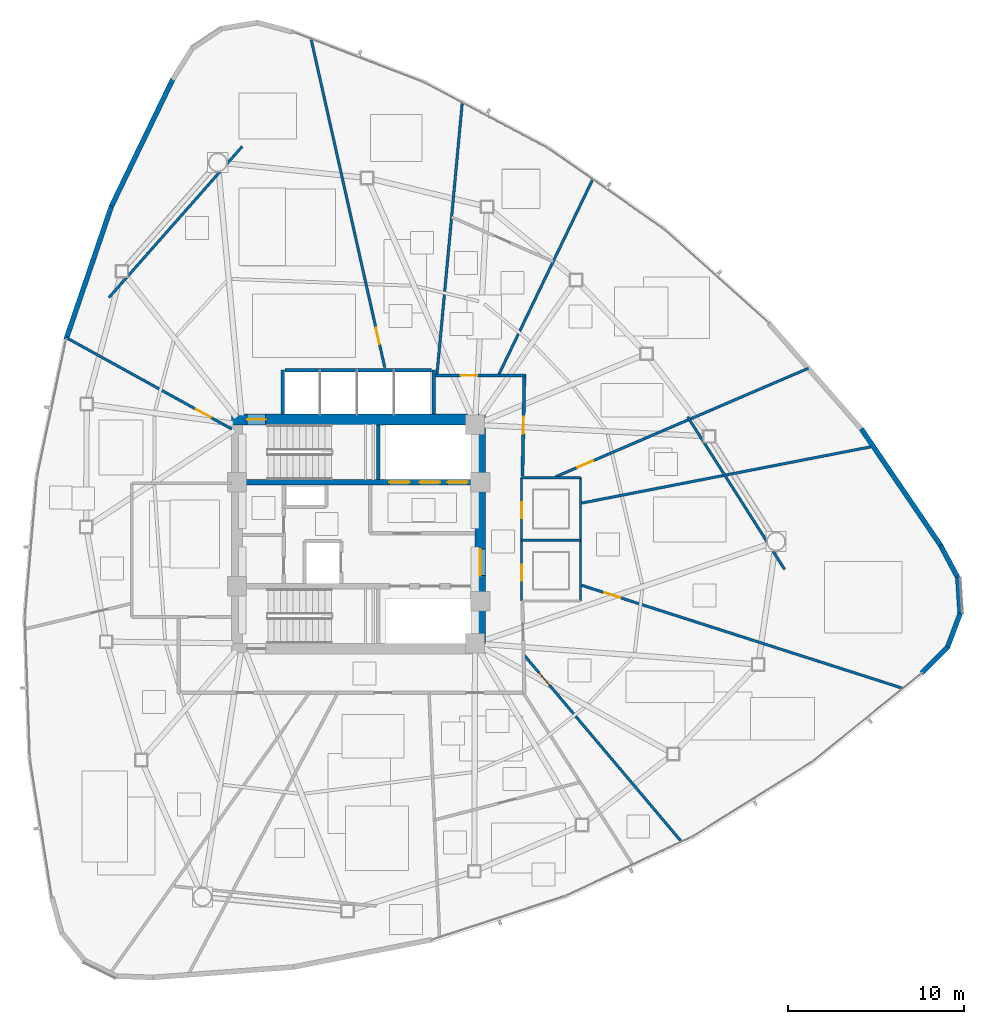
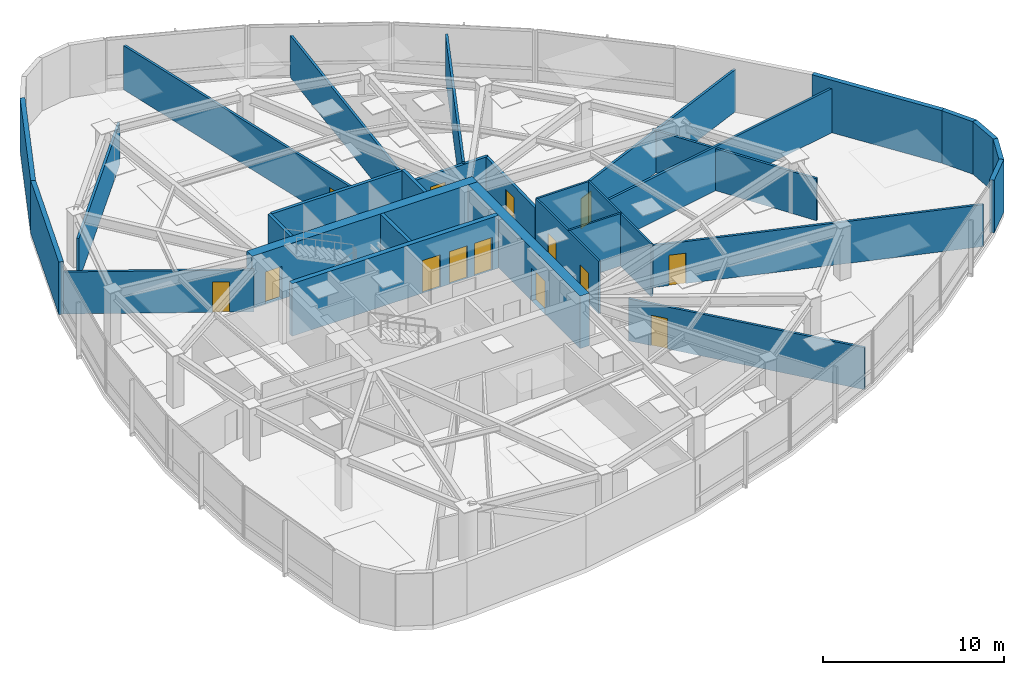
# One storey, part 12 of 17: 30 walls, 14 doors, 14 openings.
"""IFC4 building model written with IfcOpenShell, lengths in metres."""

from ifc_helpers import new_model, si_unit, direction, frame, frame_2d, origin, place, context, subcontext, project, spatial, rectangle, extrude, material, layer, layer_set, type_object, element, fill, save


model = new_model("IFC4")

# Units and contexts
model_context = context("Model", 3, precision=1e-05, world=origin(), true_north=direction((0.0, 1.0)))
body_context = subcontext(model_context, "Body", "Model", "MODEL_VIEW")
ifc_project = project(units=[si_unit("LENGTHUNIT", "METRE"), si_unit("AREAUNIT", "SQUARE_METRE"), si_unit("VOLUMEUNIT", "CUBIC_METRE"), si_unit("PLANEANGLEUNIT", "RADIAN"), si_unit("MASSUNIT", "GRAM", prefix="KILO")], contexts=[model_context])

# Site, building, storey
site_placement = place(None, origin())
site = spatial("IfcSite", under=ifc_project, at=site_placement, CompositionType="ELEMENT")
building_placement = place(site_placement, origin())
building = spatial("IfcBuilding", under=site, at=building_placement, Name="Tavelor Broadcast Tower", CompositionType="ELEMENT")
storey_placement = place(building_placement, frame((0.0, 0.0, 123.300048828125)))
storey = spatial("IfcBuildingStorey", under=building, at=storey_placement, Name="L28", CompositionType="ELEMENT", Elevation=123.300048828125)

# Wall, opening, door
ifc_material_1 = material(Name="Concrete C60/75", Category="concrete")
ifc_layer_1 = layer(ifc_material_1, 0.60009765625)
ifc_layer_set_1 = layer_set([ifc_layer_1], Name="Concrete C60/75")
wall_type_1 = type_object("IfcWallType", Name="Core Shear Wall 600 mm", PredefinedType="SHEAR", material=ifc_layer_set_1)
wall_1_placement = place(storey_placement, frame((42.800048828125, 51.5, 0.0), z_axis=(0.0, 0.0, 1.0), x_axis=(1.0, 0.0, 0.0)))
wall_1 = element("IfcWall", 1, at=wall_1_placement, inside=storey, type_object=wall_type_1, Name="L28 Central Core Shear Wall N", PredefinedType="SHEAR", context=body_context, shape_type="SweptSolid", body=[
    extrude(rectangle(XDim=14.39990234375, YDim=0.60009765625, at=frame_2d((7.199951171875, 0.0))), origin(), (0.0, 0.0, 1.0), 3.550048828125),
])
opening_1_placement = place(wall_1_placement, frame((0.8798828125, 0.0, 0.0)))
opening_1 = element("IfcOpeningElement", 2, at=opening_1_placement, cuts=wall_1, Name="Opening DR11", PredefinedType="OPENING", context=body_context, shape_type="SweptSolid", body=[
    extrude(rectangle(XDim=1.050048828125, YDim=2.199951171875, at=frame_2d((0.52490234375, 1.10009765625))), frame((0.0, 0.31005859375, 0.0), z_axis=(0.0, -1.0, 0.0), x_axis=(1.0, 0.0, 0.0)), (0.0, 0.0, 1.0), 0.6201171875),
])
ifc_material_2 = material(Name="Steel S355", Category="steel")
door_type_1 = type_object("IfcDoorType", Name="Stair Core Fire Escape Door 1050x2200", OperationType="NOTDEFINED", PredefinedType="DOOR", material=ifc_material_2)
door_1_placement = place(opening_1_placement, origin())
door_1 = element("IfcDoor", 3, at=door_1_placement, inside=storey, type_object=door_type_1, Name="L28 Stair ST1 Protected Exit Door", OperationType="SINGLE_SWING_LEFT", OverallHeight=2.199951171875, OverallWidth=1.050048828125, PredefinedType="DOOR", context=body_context, shape_type="SweptSolid", body=[
    extrude(rectangle(XDim=1.050048828125, YDim=2.199951171875, at=frame_2d((0.52490234375, 1.10009765625))), frame((0.0, 0.02490234375, 0.0), z_axis=(0.0, -1.0, 0.0), x_axis=(1.0, 0.0, 0.0)), (0.0, 0.0, 1.0), 0.050048828125),
])
fill(opening_1, door_1)

wall_2_placement = place(storey_placement, frame((56.89990234375, 38.800048828125, 0.0), z_axis=(0.0, 0.0, 1.0), x_axis=(0.0, 1.0, 0.0)))
wall_2 = element("IfcWall", 4, at=wall_2_placement, inside=storey, type_object=wall_type_1, Name="L28 Central Core Shear Wall E", PredefinedType="SHEAR", context=body_context, shape_type="SweptSolid", body=[
    extrude(rectangle(XDim=12.39990234375, YDim=0.60009765625, at=frame_2d((6.199951171875, 0.0))), origin(), (0.0, 0.0, 1.0), 3.550048828125),
])
opening_2_placement = place(wall_2_placement, frame((3.85009765625, 0.0, 0.0)))
opening_2 = element("IfcOpeningElement", 5, at=opening_2_placement, cuts=wall_2, Name="Opening DR14", PredefinedType="OPENING", context=body_context, shape_type="SweptSolid", body=[
    extrude(rectangle(XDim=1.5, YDim=2.199951171875, at=frame_2d((0.75, 1.10009765625))), frame((0.0, 0.31005859375, 0.0), z_axis=(0.0, -1.0, 0.0), x_axis=(1.0, 0.0, 0.0)), (0.0, 0.0, 1.0), 0.6201171875),
])
door_type_2 = type_object("IfcDoorType", Name="Firefighting Lobby Double Fire Door 1500x2200", OperationType="NOTDEFINED", PredefinedType="DOOR", material=ifc_material_2)
door_2_placement = place(opening_2_placement, origin())
door_2 = element("IfcDoor", 6, at=door_2_placement, inside=storey, type_object=door_type_2, Name="L28 Central Core Lobby Fire Door", OperationType="SINGLE_SWING_RIGHT", OverallHeight=2.199951171875, OverallWidth=1.5, PredefinedType="DOOR", context=body_context, shape_type="SweptSolid", body=[
    extrude(rectangle(XDim=1.5, YDim=2.199951171875, at=frame_2d((0.75, 1.10009765625))), frame((0.0, 0.02490234375, 0.0), z_axis=(0.0, -1.0, 0.0), x_axis=(1.0, 0.0, 0.0)), (0.0, 0.0, 1.0), 0.050048828125),
])
fill(opening_2, door_2)

# Wall, openings, doors
ifc_layer_2 = layer(ifc_material_1, 0.300048828125)
ifc_layer_set_2 = layer_set([ifc_layer_2], Name="Concrete C60/75")
wall_type_2 = type_object("IfcWallType", Name="Core Spine Shear Wall 300 mm C60", PredefinedType="SHEAR", material=ifc_layer_set_2)
wall_3_placement = place(storey_placement, frame((43.39990234375, 47.949951171875, 0.0), z_axis=(0.0, 0.0, 1.0), x_axis=(1.0, 0.0, 0.0)))
wall_3 = element("IfcWall", 7, at=wall_3_placement, inside=storey, type_object=wall_type_2, Name="L28 Central Core Shear Wall SP1", PredefinedType="SHEAR", context=body_context, shape_type="SweptSolid", body=[
    extrude(rectangle(XDim=13.2001953125, YDim=0.300048828125, at=frame_2d((6.60009765625, 0.0))), origin(), (0.0, 0.0, 1.0), 3.550048828125),
])
opening_3_placement = place(wall_3_placement, frame((8.344970703125, 0.0, 0.0)))
opening_3 = element("IfcOpeningElement", 8, at=opening_3_placement, cuts=wall_3, Name="Opening LD02", PredefinedType="OPENING", context=body_context, shape_type="SweptSolid", body=[
    extrude(rectangle(XDim=1.14990234375, YDim=2.199951171875, at=frame_2d((0.574951171875, 1.10009765625))), frame((0.0, 0.16015625, 0.0), z_axis=(0.0, -1.0, 0.0), x_axis=(1.0, 0.0, 0.0)), (0.0, 0.0, 1.0), 0.320068359375),
])
opening_4_placement = place(wall_3_placement, frame((10.06494140625, 0.0, 0.0)))
opening_4 = element("IfcOpeningElement", 9, at=opening_4_placement, cuts=wall_3, Name="Opening LD02", PredefinedType="OPENING", context=body_context, shape_type="SweptSolid", body=[
    extrude(rectangle(XDim=1.14990234375, YDim=2.199951171875, at=frame_2d((0.574951171875, 1.10009765625))), frame((0.0, 0.16015625, 0.0), z_axis=(0.0, -1.0, 0.0), x_axis=(1.0, 0.0, 0.0)), (0.0, 0.0, 1.0), 0.320068359375),
])
opening_5_placement = place(wall_3_placement, frame((11.64501953125, 0.0, 0.0)))
opening_5 = element("IfcOpeningElement", 10, at=opening_5_placement, cuts=wall_3, Name="Opening LD03", PredefinedType="OPENING", context=body_context, shape_type="SweptSolid", body=[
    extrude(rectangle(XDim=1.14990234375, YDim=2.199951171875, at=frame_2d((0.574951171875, 1.10009765625))), frame((0.0, 0.16015625, 0.0), z_axis=(0.0, -1.0, 0.0), x_axis=(1.0, 0.0, 0.0)), (0.0, 0.0, 1.0), 0.320068359375),
])
ifc_material_3 = material(Name="Reinforced Brushed Stainless Steel", Category="concrete")
door_type_3 = type_object("IfcDoorType", Name="Broadcast Goods Lift Sliding Landing Door 1250x2200", OperationType="NOTDEFINED", PredefinedType="DOOR", material=ifc_material_3)
door_3_placement = place(opening_5_placement, origin())
door_3 = element("IfcDoor", 11, at=door_3_placement, inside=storey, type_object=door_type_3, Name="L28 Lift SVL1 Sliding Landing Door", OperationType="SLIDING_TO_LEFT", OverallHeight=2.199951171875, OverallWidth=1.14990234375, PredefinedType="DOOR", context=body_context, shape_type="SweptSolid", body=[
    extrude(rectangle(XDim=1.14990234375, YDim=2.199951171875, at=frame_2d((0.574951171875, 1.10009765625))), frame((0.0, 0.02490234375, 0.0), z_axis=(0.0, -1.0, 0.0), x_axis=(1.0, 0.0, 0.0)), (0.0, 0.0, 1.0), 0.050048828125),
])
fill(opening_5, door_3)
ifc_material_4 = material(Name="Fire-Rated Stainless Steel", Category="steel")
door_type_4 = type_object("IfcDoorType", Name="Firefighting Lift Sliding Landing Door 1200x2200", OperationType="NOTDEFINED", PredefinedType="DOOR", material=ifc_material_4)
door_4_placement = place(opening_3_placement, origin())
door_4 = element("IfcDoor", 12, at=door_4_placement, inside=storey, type_object=door_type_4, Name="L28 Lift FFL1 Sliding Landing Door", OperationType="SLIDING_TO_LEFT", OverallHeight=2.199951171875, OverallWidth=1.14990234375, PredefinedType="DOOR", context=body_context, shape_type="SweptSolid", body=[
    extrude(rectangle(XDim=1.14990234375, YDim=2.199951171875, at=frame_2d((0.574951171875, 1.10009765625))), frame((0.0, 0.02490234375, 0.0), z_axis=(0.0, -1.0, 0.0), x_axis=(1.0, 0.0, 0.0)), (0.0, 0.0, 1.0), 0.050048828125),
])
fill(opening_3, door_4)
door_5_placement = place(opening_4_placement, origin())
door_5 = element("IfcDoor", 13, at=door_5_placement, inside=storey, type_object=door_type_4, Name="L28 Lift FFL2 Sliding Landing Door", OperationType="SLIDING_TO_LEFT", OverallHeight=2.199951171875, OverallWidth=1.14990234375, PredefinedType="DOOR", context=body_context, shape_type="SweptSolid", body=[
    extrude(rectangle(XDim=1.14990234375, YDim=2.199951171875, at=frame_2d((0.574951171875, 1.10009765625))), frame((0.0, 0.02490234375, 0.0), z_axis=(0.0, -1.0, 0.0), x_axis=(1.0, 0.0, 0.0)), (0.0, 0.0, 1.0), 0.050048828125),
])
fill(opening_4, door_5)

# Wall, opening, door
ifc_material_5 = material(Name="Calcium Silicate Fire Board 180 mm", Category="gypsum")
ifc_layer_3 = layer(ifc_material_5, 0.179931640625)
ifc_layer_set_3 = layer_set([ifc_layer_3], Name="Calcium Silicate Fire Board 180 mm")
wall_type_3 = type_object("IfcWallType", Name="Fire-Rated Corridor Partition Wall 180 mm", PredefinedType="PARTITIONING", material=ifc_layer_set_3)
wall_4_placement = place(storey_placement, frame((54.300048828125, 54.0, 0.0), z_axis=(0.0, 0.0, 1.0), x_axis=(1.0, 0.0, 0.0)))
wall_4 = element("IfcWall", 14, at=wall_4_placement, inside=storey, type_object=wall_type_3, Name="L28 Corridor Compartment Wall 01", PredefinedType="PARTITIONING", context=body_context, shape_type="SweptSolid", body=[
    extrude(rectangle(XDim=5.14990234375, YDim=0.179931640625, at=frame_2d((2.574951171875, 0.0))), origin(), (0.0, 0.0, 1.0), 2.8349609375),
])
opening_6_placement = place(wall_4_placement, frame((1.477294921875, 0.0, 0.0)))
opening_6 = element("IfcOpeningElement", 15, at=opening_6_placement, cuts=wall_4, Name="Opening DR18", PredefinedType="OPENING", context=body_context, shape_type="SweptSolid", body=[
    extrude(rectangle(XDim=0.949951171875, YDim=2.050048828125, at=frame_2d((0.47509765625, 1.02490234375))), frame((0.0, 0.10009765625, 0.0), z_axis=(0.0, -1.0, 0.0), x_axis=(1.0, 0.0, 0.0)), (0.0, 0.0, 1.0), 0.199951171875),
])
ifc_material_6 = material(Name="Timber Solid Core Hardwood", Category="wood")
door_type_5 = type_object("IfcDoorType", Name="Corridor Rated Compartment Door 950x2050", OperationType="NOTDEFINED", PredefinedType="DOOR", material=ifc_material_6)
door_6_placement = place(opening_6_placement, origin())
door_6 = element("IfcDoor", 16, at=door_6_placement, inside=storey, type_object=door_type_5, Name="L28 Studio Foley Workshop Door R14", OperationType="SINGLE_SWING_RIGHT", OverallHeight=2.050048828125, OverallWidth=0.949951171875, PredefinedType="DOOR", context=body_context, shape_type="SweptSolid", body=[
    extrude(rectangle(XDim=0.949951171875, YDim=2.050048828125, at=frame_2d((0.47509765625, 1.02490234375))), frame((0.0, 0.02490234375, 0.0), z_axis=(0.0, -1.0, 0.0), x_axis=(1.0, 0.0, 0.0)), (0.0, 0.0, 1.0), 0.050048828125),
])
fill(opening_6, door_6)

wall_5_placement = place(storey_placement, frame((59.40087890625, 54.050048828125, 0.0), z_axis=(0.0, 0.0, 1.0), x_axis=(-0.019103170983, -0.999817517779, 0.0)))
wall_5 = element("IfcWall", 17, at=wall_5_placement, inside=storey, type_object=wall_type_3, Name="L28 Corridor Compartment Wall 02", PredefinedType="PARTITIONING", context=body_context, shape_type="SweptSolid", body=[
    extrude(rectangle(XDim=5.7509765625, YDim=0.179931640625, at=frame_2d((2.87548828125, 0.0))), origin(), (0.0, 0.0, 1.0), 2.8349609375),
])
opening_7_placement = place(wall_5_placement, frame((2.400390625, 0.0, 0.0)))
opening_7 = element("IfcOpeningElement", 18, at=opening_7_placement, cuts=wall_5, Name="Opening DR18", PredefinedType="OPENING", context=body_context, shape_type="SweptSolid", body=[
    extrude(rectangle(XDim=0.949951171875, YDim=2.050048828125, at=frame_2d((0.47509765625, 1.02490234375))), frame((0.0, 0.10009765625, 0.0), z_axis=(0.0, -1.0, 0.0), x_axis=(1.0, 0.0, 0.0)), (0.0, 0.0, 1.0), 0.199951171875),
])
door_7_placement = place(opening_7_placement, origin())
door_7 = element("IfcDoor", 19, at=door_7_placement, inside=storey, type_object=door_type_5, Name="L28 Editorial Huddle Room Door R10", OperationType="SINGLE_SWING_LEFT", OverallHeight=2.050048828125, OverallWidth=0.949951171875, PredefinedType="DOOR", context=body_context, shape_type="SweptSolid", body=[
    extrude(rectangle(XDim=0.949951171875, YDim=2.050048828125, at=frame_2d((0.47509765625, 1.02490234375))), frame((0.0, 0.02490234375, 0.0), z_axis=(0.0, -1.0, 0.0), x_axis=(1.0, 0.0, 0.0)), (0.0, 0.0, 1.0), 0.050048828125),
])
fill(opening_7, door_7)

# Walls
ifc_material_7 = material(Name="Precast Concrete C40/50", Category="concrete")
ifc_layer_4 = layer(ifc_material_7, 0.280029296875)
ifc_layer_set_4 = layer_set([ifc_layer_4], Name="Precast Concrete C40/50")
wall_type_4 = type_object("IfcWallType", Name="Insulated Precast Terracotta Facade Wall 280 mm", PredefinedType="STANDARD", material=ifc_layer_set_4)
wall_6_placement = place(storey_placement, frame((39.459716796875, 70.807861328125, 0.0), z_axis=(0.0, 0.0, 1.0), x_axis=(-0.4348699763, -0.900493255784, 0.0)))
element("IfcWall", 20, at=wall_6_placement, inside=storey, type_object=wall_type_4, Name="L28 Rounded Corner Structural Cladding Pier 05", PredefinedType="STANDARD", context=body_context, shape_type="SweptSolid", body=[
    extrude(rectangle(XDim=8.01806640625, YDim=0.280029296875, at=frame_2d((4.009033203125, 0.0))), origin(), (0.0, 0.0, 1.0), 3.550048828125),
])
wall_7_placement = place(storey_placement, frame((35.984375, 63.615478515625, 0.0), z_axis=(0.0, 0.0, 1.0), x_axis=(-0.322688208175, -0.946505319745, 0.0)))
element("IfcWall", 21, at=wall_7_placement, inside=storey, type_object=wall_type_4, Name="L28 Rounded Corner Structural Cladding Pier 06", PredefinedType="STANDARD", context=body_context, shape_type="SweptSolid", body=[
    extrude(rectangle(XDim=8.006103515625, YDim=0.280029296875, at=frame_2d((4.0029296875, 0.0))), origin(), (0.0, 0.0, 1.0), 3.550048828125),
])
wall_8_placement = place(storey_placement, frame((81.9404296875, 37.1142578125, 0.0), z_axis=(0.0, 0.0, 1.0), x_axis=(0.705288808823, 0.708920091512, 0.0)))
element("IfcWall", 22, at=wall_8_placement, inside=storey, type_object=wall_type_4, Name="L28 Rounded Corner Structural Cladding Pier 21", PredefinedType="STANDARD", context=body_context, shape_type="SweptSolid", body=[
    extrude(rectangle(XDim=2.084228515625, YDim=0.280029296875, at=frame_2d((1.0419921875, 0.0))), origin(), (0.0, 0.0, 1.0), 3.550048828125),
])
for number, where, z_axis, x_axis, name in (
    (23, (83.394287109375, 38.567138671875, 0.0), (0.0, 0.0, 1.0), (0.351033075642, 0.936363059825, 0.0), "L28 Rounded Corner Structural Cladding Pier 22"),
    (24, (84.11767578125, 40.478759765625, 0.0), (0.0, 0.0, 1.0), (-0.065377480255, 0.99786060403, 0.0), "L28 Rounded Corner Structural Cladding Pier 23"),
):
    element("IfcWall", number, at=place(storey_placement, frame(where, z_axis=z_axis, x_axis=x_axis)), inside=storey, type_object=wall_type_4, Name=name, PredefinedType="STANDARD", context=body_context, shape_type="SweptSolid", body=[
        extrude(rectangle(XDim=2.072509765625, YDim=0.280029296875, at=frame_2d((1.0361328125, 0.0))), origin(), (0.0, 0.0, 1.0), 3.550048828125),
    ])
wall_9_placement = place(storey_placement, frame((83.989990234375, 42.5185546875, 0.0), z_axis=(0.0, 0.0, 1.0), x_axis=(-0.470182965017, 0.882568965808, 0.0)))
element("IfcWall", 25, at=wall_9_placement, inside=storey, type_object=wall_type_4, Name="L28 Rounded Corner Structural Cladding Pier 24", PredefinedType="STANDARD", context=body_context, shape_type="SweptSolid", body=[
    extrude(rectangle(XDim=2.09521484375, YDim=0.280029296875, at=frame_2d((1.047607421875, 0.0))), origin(), (0.0, 0.0, 1.0), 3.550048828125),
])
wall_10_placement = place(storey_placement, frame((83.0205078125, 44.342041015625, 0.0), z_axis=(0.0, 0.0, 1.0), x_axis=(-0.562426615483, 0.826847206076, 0.0)))
element("IfcWall", 26, at=wall_10_placement, inside=storey, type_object=wall_type_4, Name="L28 Rounded Corner Structural Cladding Pier 25", PredefinedType="STANDARD", context=body_context, shape_type="SweptSolid", body=[
    extrude(rectangle(XDim=8.01806640625, YDim=0.280029296875, at=frame_2d((4.009033203125, 0.0))), origin(), (0.0, 0.0, 1.0), 3.550048828125),
])
ifc_material_8 = material(Name="Gypsum Acoustic Plasterboard 150 mm", Category="gypsum")
ifc_layer_5 = layer(ifc_material_8, 0.14990234375)
ifc_layer_set_5 = layer_set([ifc_layer_5], Name="Gypsum Acoustic Plasterboard 150 mm")
wall_type_5 = type_object("IfcWallType", Name="Interior Acoustic Partition Wall 150 mm", PredefinedType="PARTITIONING", material=ifc_layer_set_5)
wall_11_placement = place(storey_placement, frame((43.399658203125, 66.988525390625, 0.0), z_axis=(0.0, 0.0, 1.0), x_axis=(-0.661622343701, -0.749837231881, 0.0)))
element("IfcWall", 27, at=wall_11_placement, inside=storey, type_object=wall_type_5, Name="L28 Corner Tube Brace Furring Wall 1", PredefinedType="PARTITIONING", context=body_context, shape_type="SweptSolid", body=[
    extrude(rectangle(XDim=11.42724609375, YDim=0.14990234375, at=frame_2d((5.713623046875, 0.0))), origin(), (0.0, 0.0, 1.0), 2.8349609375),
])
wall_12_placement = place(storey_placement, frame((74.16259765625, 42.9931640625, 0.0), z_axis=(0.0, 0.0, 1.0), x_axis=(-0.53628142437, 0.844039237166, 0.0)))
element("IfcWall", 28, at=wall_12_placement, inside=storey, type_object=wall_type_5, Name="L28 Corner Tube Brace Furring Wall 3", PredefinedType="PARTITIONING", context=body_context, shape_type="SweptSolid", body=[
    extrude(rectangle(XDim=10.266845703125, YDim=0.14990234375, at=frame_2d((5.13330078125, 0.0))), origin(), (0.0, 0.0, 1.0), 2.8349609375),
])

# Wall, opening, door
wall_13_placement = place(storey_placement, frame((59.353515625, 38.176513671875, 0.0), z_axis=(0.0, 0.0, 1.0), x_axis=(0.644627029638, -0.7644972156, 0.0)))
wall_13 = element("IfcWall", 29, at=wall_13_placement, inside=storey, type_object=wall_type_5, Name="L28 Radial Compartment Wall 02", PredefinedType="PARTITIONING", context=body_context, shape_type="SweptSolid", body=[
    extrude(rectangle(XDim=13.90673828125, YDim=0.14990234375, at=frame_2d((6.953369140625, 0.0))), origin(), (0.0, 0.0, 1.0), 2.8349609375),
])
opening_8_placement = place(wall_13_placement, frame((1.35009765625, 0.0, 0.0)))
opening_8 = element("IfcOpeningElement", 30, at=opening_8_placement, cuts=wall_13, Name="Opening DR18", PredefinedType="OPENING", context=body_context, shape_type="SweptSolid", body=[
    extrude(rectangle(XDim=0.949951171875, YDim=2.050048828125, at=frame_2d((0.47509765625, 1.02490234375))), frame((0.0, 0.0849609375, 0.0), z_axis=(0.0, -1.0, 0.0), x_axis=(1.0, 0.0, 0.0)), (0.0, 0.0, 1.0), 0.169921875),
])
door_8_placement = place(opening_8_placement, origin())
door_8 = element("IfcDoor", 31, at=door_8_placement, inside=storey, type_object=door_type_5, Name="L28 Suite Connecting Door 1", OperationType="SINGLE_SWING_LEFT", OverallHeight=2.050048828125, OverallWidth=0.949951171875, PredefinedType="DOOR", context=body_context, shape_type="SweptSolid", body=[
    extrude(rectangle(XDim=0.949951171875, YDim=2.050048828125, at=frame_2d((0.47509765625, 1.02490234375))), frame((0.0, 0.02490234375, 0.0), z_axis=(0.0, -1.0, 0.0), x_axis=(1.0, 0.0, 0.0)), (0.0, 0.0, 1.0), 0.050048828125),
])
fill(opening_8, door_8)

wall_14_placement = place(storey_placement, frame((62.64990234375, 42.096435546875, 0.0), z_axis=(0.0, 0.0, 1.0), x_axis=(0.952198874099, -0.30547881132, 0.0)))
wall_14 = element("IfcWall", 32, at=wall_14_placement, inside=storey, type_object=wall_type_5, Name="L28 Radial Compartment Wall 03", PredefinedType="PARTITIONING", context=body_context, shape_type="SweptSolid", body=[
    extrude(rectangle(XDim=19.14892578125, YDim=0.14990234375, at=frame_2d((9.574462890625, 0.0))), origin(), (0.0, 0.0, 1.0), 2.8349609375),
])
opening_9_placement = place(wall_14_placement, frame((1.35009765625, 0.0, 0.0)))
opening_9 = element("IfcOpeningElement", 33, at=opening_9_placement, cuts=wall_14, Name="Opening DR18", PredefinedType="OPENING", context=body_context, shape_type="SweptSolid", body=[
    extrude(rectangle(XDim=0.949951171875, YDim=2.050048828125, at=frame_2d((0.47509765625, 1.02490234375))), frame((0.0, 0.0849609375, 0.0), z_axis=(0.0, -1.0, 0.0), x_axis=(1.0, 0.0, 0.0)), (0.0, 0.0, 1.0), 0.169921875),
])
door_9_placement = place(opening_9_placement, origin())
door_9 = element("IfcDoor", 34, at=door_9_placement, inside=storey, type_object=door_type_5, Name="L28 Suite Connecting Door 12", OperationType="SINGLE_SWING_RIGHT", OverallHeight=2.050048828125, OverallWidth=0.949951171875, PredefinedType="DOOR", context=body_context, shape_type="SweptSolid", body=[
    extrude(rectangle(XDim=0.949951171875, YDim=2.050048828125, at=frame_2d((0.47509765625, 1.02490234375))), frame((0.0, 0.02490234375, 0.0), z_axis=(0.0, -1.0, 0.0), x_axis=(1.0, 0.0, 0.0)), (0.0, 0.0, 1.0), 0.050048828125),
])
fill(opening_9, door_9)

# Wall
wall_15_placement = place(storey_placement, frame((62.64990234375, 46.760498046875, 0.0), z_axis=(0.0, 0.0, 1.0), x_axis=(0.981594354797, 0.190977806647, 0.0)))
element("IfcWall", 35, at=wall_15_placement, inside=storey, type_object=wall_type_5, Name="L28 Radial Compartment Wall 04", PredefinedType="PARTITIONING", context=body_context, shape_type="SweptSolid", body=[
    extrude(rectangle(XDim=16.85791015625, YDim=0.14990234375, at=frame_2d((8.428955078125, 0.0))), origin(), (0.0, 0.0, 1.0), 2.974853515625),
])

# Wall, opening, door
wall_16_placement = place(storey_placement, frame((61.16943359375, 48.25, 0.0), z_axis=(0.0, 0.0, 1.0), x_axis=(0.918881132784, 0.394534490019, 0.0)))
wall_16 = element("IfcWall", 36, at=wall_16_placement, inside=storey, type_object=wall_type_5, Name="L28 Radial Compartment Wall 05", PredefinedType="PARTITIONING", context=body_context, shape_type="SweptSolid", body=[
    extrude(rectangle(XDim=15.61181640625, YDim=0.14990234375, at=frame_2d((7.805908203125, 0.0))), origin(), (0.0, 0.0, 1.0), 2.8349609375),
])
opening_10_placement = place(wall_16_placement, frame((1.35009765625, 0.0, 0.0)))
opening_10 = element("IfcOpeningElement", 37, at=opening_10_placement, cuts=wall_16, Name="Opening DR18", PredefinedType="OPENING", context=body_context, shape_type="SweptSolid", body=[
    extrude(rectangle(XDim=0.949951171875, YDim=2.050048828125, at=frame_2d((0.47509765625, 1.02490234375))), frame((0.0, 0.0849609375, 0.0), z_axis=(0.0, -1.0, 0.0), x_axis=(1.0, 0.0, 0.0)), (0.0, 0.0, 1.0), 0.169921875),
])
door_10_placement = place(opening_10_placement, origin())
door_10 = element("IfcDoor", 38, at=door_10_placement, inside=storey, type_object=door_type_5, Name="L28 Suite Connecting Door 11", OperationType="SINGLE_SWING_LEFT", OverallHeight=2.050048828125, OverallWidth=0.949951171875, PredefinedType="DOOR", context=body_context, shape_type="SweptSolid", body=[
    extrude(rectangle(XDim=0.949951171875, YDim=2.050048828125, at=frame_2d((0.47509765625, 1.02490234375))), frame((0.0, 0.02490234375, 0.0), z_axis=(0.0, -1.0, 0.0), x_axis=(1.0, 0.0, 0.0)), (0.0, 0.0, 1.0), 0.050048828125),
])
fill(opening_10, door_10)

# Walls
wall_17_placement = place(storey_placement, frame((57.92724609375, 54.0, 0.0), z_axis=(0.0, 0.0, 1.0), x_axis=(0.433300300993, 0.901249604249, 0.0)))
element("IfcWall", 39, at=wall_17_placement, inside=storey, type_object=wall_type_5, Name="L28 Radial Compartment Wall 06", PredefinedType="PARTITIONING", context=body_context, shape_type="SweptSolid", body=[
    extrude(rectangle(XDim=12.351806640625, YDim=0.14990234375, at=frame_2d((6.17578125, 0.0))), origin(), (0.0, 0.0, 1.0), 2.974853515625),
])
wall_18_placement = place(storey_placement, frame((54.437255859375, 54.0, 0.0), z_axis=(0.0, 0.0, 1.0), x_axis=(0.092619386887, 0.995701586407, 0.0)))
element("IfcWall", 40, at=wall_18_placement, inside=storey, type_object=wall_type_5, Name="L28 Radial Compartment Wall 07", PredefinedType="PARTITIONING", context=body_context, shape_type="SweptSolid", body=[
    extrude(rectangle(XDim=15.549560546875, YDim=0.14990234375, at=frame_2d((7.77490234375, 0.0))), origin(), (0.0, 0.0, 1.0), 2.8349609375),
])

# Wall, opening, door
wall_19_placement = place(storey_placement, frame((51.480712890625, 54.449951171875, 0.0), z_axis=(0.0, 0.0, 1.0), x_axis=(-0.218827854008, 0.975763480722, 0.0)))
wall_19 = element("IfcWall", 41, at=wall_19_placement, inside=storey, type_object=wall_type_5, Name="L28 Radial Compartment Wall 08", PredefinedType="PARTITIONING", context=body_context, shape_type="SweptSolid", body=[
    extrude(rectangle(XDim=19.1103515625, YDim=0.14990234375, at=frame_2d((9.55517578125, 0.0))), origin(), (0.0, 0.0, 1.0), 2.974853515625),
])
opening_11_placement = place(wall_19_placement, frame((1.35009765625, 0.0, 0.0)))
opening_11 = element("IfcOpeningElement", 42, at=opening_11_placement, cuts=wall_19, Name="Opening DR18", PredefinedType="OPENING", context=body_context, shape_type="SweptSolid", body=[
    extrude(rectangle(XDim=0.949951171875, YDim=2.050048828125, at=frame_2d((0.47509765625, 1.02490234375))), frame((0.0, 0.0849609375, 0.0), z_axis=(0.0, -1.0, 0.0), x_axis=(1.0, 0.0, 0.0)), (0.0, 0.0, 1.0), 0.169921875),
])
door_11_placement = place(opening_11_placement, origin())
door_11 = element("IfcDoor", 43, at=door_11_placement, inside=storey, type_object=door_type_5, Name="L28 Suite Connecting Door 8", OperationType="SINGLE_SWING_RIGHT", OverallHeight=2.050048828125, OverallWidth=0.949951171875, PredefinedType="DOOR", context=body_context, shape_type="SweptSolid", body=[
    extrude(rectangle(XDim=0.949951171875, YDim=2.050048828125, at=frame_2d((0.47509765625, 1.02490234375))), frame((0.0, 0.02490234375, 0.0), z_axis=(0.0, -1.0, 0.0), x_axis=(1.0, 0.0, 0.0)), (0.0, 0.0, 1.0), 0.050048828125),
])
fill(opening_11, door_11)

wall_20_placement = place(storey_placement, frame((42.800048828125, 50.962890625, 0.0), z_axis=(0.0, 0.0, 1.0), x_axis=(-0.875430678192, 0.483343695191, 0.0)))
wall_20 = element("IfcWall", 44, at=wall_20_placement, inside=storey, type_object=wall_type_5, Name="L28 Radial Compartment Wall 09", PredefinedType="PARTITIONING", context=body_context, shape_type="SweptSolid", body=[
    extrude(rectangle(XDim=10.709228515625, YDim=0.14990234375, at=frame_2d((5.3544921875, 0.0))), origin(), (0.0, 0.0, 1.0), 2.8349609375),
])
opening_12_placement = place(wall_20_placement, frame((1.35009765625, 0.0, 0.0)))
opening_12 = element("IfcOpeningElement", 45, at=opening_12_placement, cuts=wall_20, Name="Opening DR18", PredefinedType="OPENING", context=body_context, shape_type="SweptSolid", body=[
    extrude(rectangle(XDim=0.949951171875, YDim=2.050048828125, at=frame_2d((0.47509765625, 1.02490234375))), frame((0.0, 0.0849609375, 0.0), z_axis=(0.0, -1.0, 0.0), x_axis=(1.0, 0.0, 0.0)), (0.0, 0.0, 1.0), 0.169921875),
])
door_12_placement = place(opening_12_placement, origin())
door_12 = element("IfcDoor", 46, at=door_12_placement, inside=storey, type_object=door_type_5, Name="L28 Suite Connecting Door 7", OperationType="SINGLE_SWING_LEFT", OverallHeight=2.050048828125, OverallWidth=0.949951171875, PredefinedType="DOOR", context=body_context, shape_type="SweptSolid", body=[
    extrude(rectangle(XDim=0.949951171875, YDim=2.050048828125, at=frame_2d((0.47509765625, 1.02490234375))), frame((0.0, 0.02490234375, 0.0), z_axis=(0.0, -1.0, 0.0), x_axis=(1.0, 0.0, 0.0)), (0.0, 0.0, 1.0), 0.050048828125),
])
fill(opening_12, door_12)

# Walls
ifc_material_9 = material(Name="Concrete Blockwork 200 mm", Category="masonry")
ifc_layer_6 = layer(ifc_material_9, 0.199951171875)
ifc_layer_set_6 = layer_set([ifc_layer_6], Name="Concrete Blockwork 200 mm")
wall_type_6 = type_object("IfcWallType", Name="Lift Hoistway Rated Front Wall 200 mm", PredefinedType="PARTITIONING", material=ifc_layer_set_6)
wall_21_placement = place(storey_placement, frame((45.820068359375, 54.300048828125, 0.0), z_axis=(0.0, 0.0, 1.0), x_axis=(1.0, 0.0, 0.0)))
element("IfcWall", 47, at=wall_21_placement, inside=storey, type_object=wall_type_6, Name="L28 High-Rise Lift Hoistway Front Wall", PredefinedType="PARTITIONING", context=body_context, shape_type="SweptSolid", body=[
    extrude(rectangle(XDim=8.309814453125, YDim=0.199951171875, at=frame_2d((4.15478515625, 0.0))), origin(), (0.0, 0.0, 1.0), 3.550048828125),
])
ifc_layer_7 = layer(ifc_material_9, 0.199951171875)
ifc_layer_set_7 = layer_set([ifc_layer_7], Name="Concrete Blockwork 200 mm")
wall_type_7 = type_object("IfcWallType", Name="Lift and Riser Shaft Enclosure Wall 200 mm", PredefinedType="PARTITIONING", material=ifc_layer_set_7)
for number, where, z_axis, x_axis, name in (
    (48, (45.699951171875, 51.800048828125, 0.0), (0.0, 0.0, 1.0), (0.0, 1.0, 0.0), "L28 High-Rise Lift Shaft West Wall"),
    (49, (54.25, 51.800048828125, 0.0), (0.0, 0.0, 1.0), (0.0, 1.0, 0.0), "L28 High-Rise Lift Shaft East Wall"),
):
    element("IfcWall", number, at=place(storey_placement, frame(where, z_axis=z_axis, x_axis=x_axis)), inside=storey, type_object=wall_type_7, Name=name, PredefinedType="PARTITIONING", context=body_context, shape_type="SweptSolid", body=[
        extrude(rectangle(XDim=2.5, YDim=0.199951171875, at=frame_2d((1.25, 0.0))), origin(), (0.0, 0.0, 1.0), 3.550048828125),
    ])

# Wall, openings, doors
ifc_material_10 = material(Name="Moisture-Resistant Plasterboard 120 mm", Category="gypsum")
ifc_layer_8 = layer(ifc_material_10, 0.1201171875)
ifc_layer_set_8 = layer_set([ifc_layer_8], Name="Moisture-Resistant Plasterboard 120 mm")
wall_type_8 = type_object("IfcWallType", Name="Moisture-Resistant Wet-Room Partition 120 mm", PredefinedType="PARTITIONING", material=ifc_layer_set_8)
wall_22_placement = place(storey_placement, frame((59.239990234375, 41.199951171875, 0.0), z_axis=(0.0, 0.0, 1.0), x_axis=(0.0, 1.0, 0.0)))
wall_22 = element("IfcWall", 50, at=wall_22_placement, inside=storey, type_object=wall_type_8, Name="L28 Floor Washrooms West Wall", PredefinedType="PARTITIONING", context=body_context, shape_type="SweptSolid", body=[
    extrude(rectangle(XDim=7.0, YDim=0.1201171875, at=frame_2d((3.5, 0.0))), origin(), (0.0, 0.0, 1.0), 3.550048828125),
])
opening_13_placement = place(wall_22_placement, frame((1.14990234375, 0.0, 0.0)))
opening_13 = element("IfcOpeningElement", 51, at=opening_13_placement, cuts=wall_22, Name="Opening DR32", PredefinedType="OPENING", context=body_context, shape_type="SweptSolid", body=[
    extrude(rectangle(XDim=0.89990234375, YDim=2.050048828125, at=frame_2d((0.449951171875, 1.02490234375))), frame((0.0, 0.070068359375, 0.0), z_axis=(0.0, -1.0, 0.0), x_axis=(1.0, 0.0, 0.0)), (0.0, 0.0, 1.0), 0.14013671875),
])
opening_14_placement = place(wall_22_placement, frame((4.699951171875, 0.0, 0.0)))
opening_14 = element("IfcOpeningElement", 52, at=opening_14_placement, cuts=wall_22, Name="Opening DR32", PredefinedType="OPENING", context=body_context, shape_type="SweptSolid", body=[
    extrude(rectangle(XDim=0.89990234375, YDim=2.050048828125, at=frame_2d((0.449951171875, 1.02490234375))), frame((0.0, 0.070068359375, 0.0), z_axis=(0.0, -1.0, 0.0), x_axis=(1.0, 0.0, 0.0)), (0.0, 0.0, 1.0), 0.14013671875),
])
door_type_6 = type_object("IfcDoorType", Name="Accessible Washroom Door 900x2050", OperationType="NOTDEFINED", PredefinedType="DOOR", material=ifc_material_6)
door_13_placement = place(opening_13_placement, origin())
door_13 = element("IfcDoor", 53, at=door_13_placement, inside=storey, type_object=door_type_6, Name="L28 Accessible WC Door", OperationType="SINGLE_SWING_LEFT", OverallHeight=2.050048828125, OverallWidth=0.89990234375, PredefinedType="DOOR", context=body_context, shape_type="SweptSolid", body=[
    extrude(rectangle(XDim=0.89990234375, YDim=2.050048828125, at=frame_2d((0.449951171875, 1.02490234375))), frame((0.0, 0.02490234375, 0.0), z_axis=(0.0, -1.0, 0.0), x_axis=(1.0, 0.0, 0.0)), (0.0, 0.0, 1.0), 0.050048828125),
])
fill(opening_13, door_13)
door_14_placement = place(opening_14_placement, origin())
door_14 = element("IfcDoor", 54, at=door_14_placement, inside=storey, type_object=door_type_6, Name="L28 Staff Washroom WC Door", OperationType="SINGLE_SWING_RIGHT", OverallHeight=2.050048828125, OverallWidth=0.89990234375, PredefinedType="DOOR", context=body_context, shape_type="SweptSolid", body=[
    extrude(rectangle(XDim=0.89990234375, YDim=2.050048828125, at=frame_2d((0.449951171875, 1.02490234375))), frame((0.0, 0.02490234375, 0.0), z_axis=(0.0, -1.0, 0.0), x_axis=(1.0, 0.0, 0.0)), (0.0, 0.0, 1.0), 0.050048828125),
])
fill(opening_14, door_14)

# Walls
for number, where, z_axis, x_axis, name in (
    (55, (59.239990234375, 44.64990234375, 0.0), (0.0, 0.0, 1.0), (1.0, 0.0, 0.0), "L28 Floor Washrooms Divider Wall"),
    (56, (59.239990234375, 48.199951171875, 0.0), (0.0, 0.0, 1.0), (1.0, 0.0, 0.0), "L28 Floor Washrooms North Wall"),
):
    element("IfcWall", number, at=place(storey_placement, frame(where, z_axis=z_axis, x_axis=x_axis)), inside=storey, type_object=wall_type_8, Name=name, PredefinedType="PARTITIONING", context=body_context, shape_type="SweptSolid", body=[
        extrude(rectangle(XDim=3.340087890625, YDim=0.1201171875, at=frame_2d((1.669921875, 0.0))), origin(), (0.0, 0.0, 1.0), 3.550048828125),
    ])
wall_23_placement = place(storey_placement, frame((62.580078125, 41.199951171875, 0.0), z_axis=(0.0, 0.0, 1.0), x_axis=(0.0, 1.0, 0.0)))
element("IfcWall", 57, at=wall_23_placement, inside=storey, type_object=wall_type_8, Name="L28 Floor Washrooms East Wall", PredefinedType="PARTITIONING", context=body_context, shape_type="SweptSolid", body=[
    extrude(rectangle(XDim=7.0, YDim=0.1201171875, at=frame_2d((3.5, 0.0))), origin(), (0.0, 0.0, 1.0), 3.550048828125),
])
ifc_material_11 = material(Name="Concrete C40/50", Category="concrete")
ifc_layer_9 = layer(ifc_material_11, 0.219970703125)
ifc_layer_set_9 = layer_set([ifc_layer_9], Name="Concrete C40/50")
wall_type_9 = type_object("IfcWallType", Name="Structural Stairwell Shear Wall 220 mm", PredefinedType="SHEAR", material=ifc_layer_set_9)
wall_24_placement = place(storey_placement, frame((51.110107421875, 48.10009765625, 0.0), z_axis=(0.0, 0.0, 1.0), x_axis=(0.0, 1.0, 0.0)))
element("IfcWall", 58, at=wall_24_placement, inside=storey, type_object=wall_type_9, Name="L28 Stair ST1 Structural Shaft Wall", PredefinedType="SHEAR", context=body_context, shape_type="SweptSolid", body=[
    extrude(rectangle(XDim=3.099853515625, YDim=0.219970703125, at=frame_2d((1.5498046875, 0.0))), origin(), (0.0, 0.0, 1.0), 3.550048828125),
])

save(model, "model.ifc")
